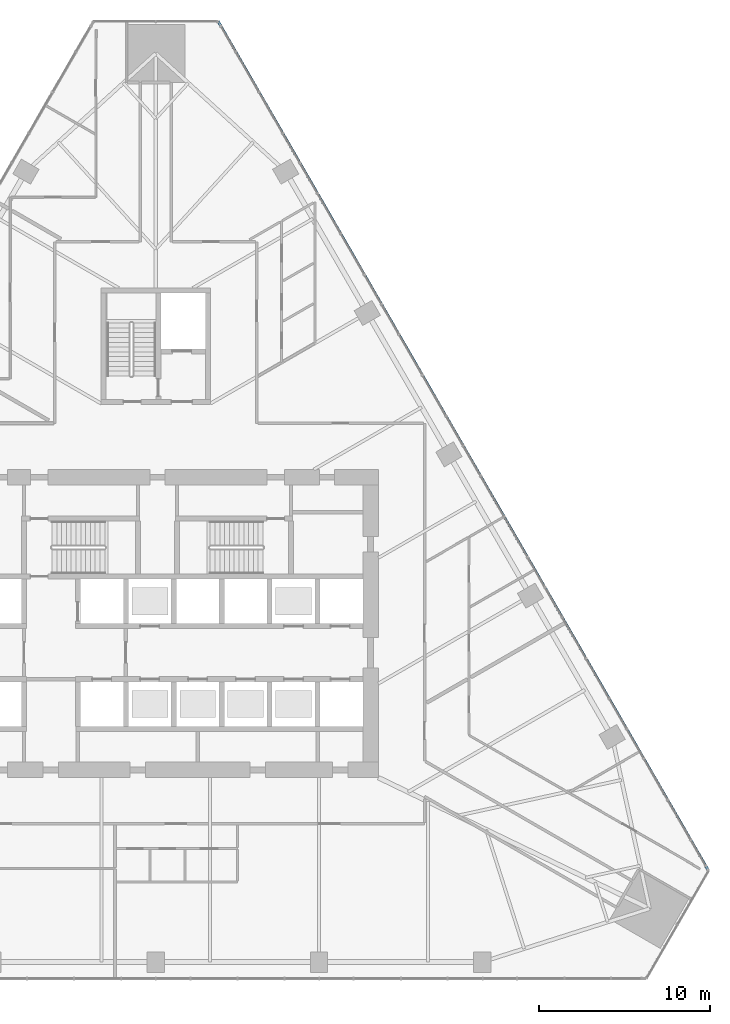
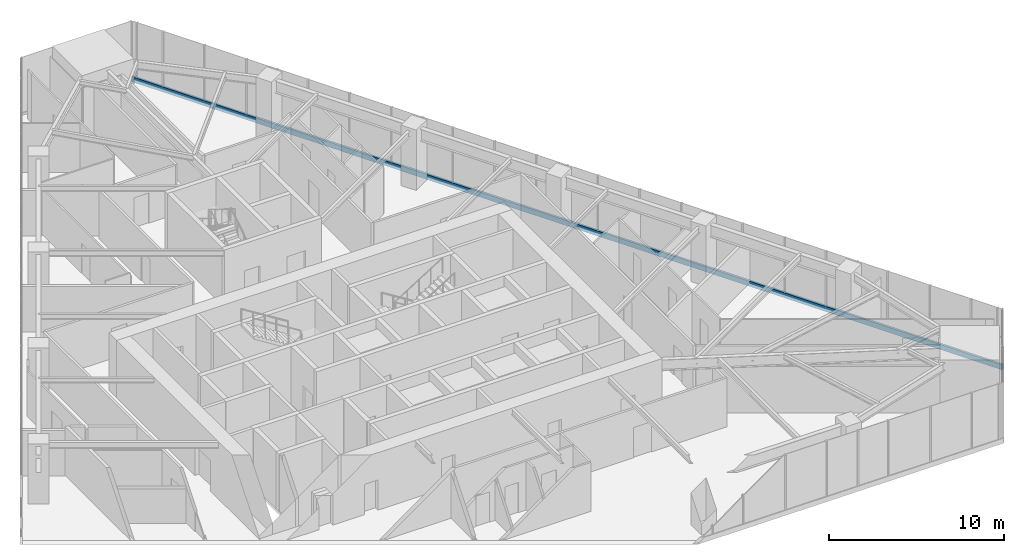
# One storey, part 9 of 25: 1 member, 1 element without a shape of its own.
"""IFC4 building model written with IfcOpenShell, lengths in metres."""

from ifc_helpers import new_model, si_unit, direction, frame, origin, origin_2d, place, context, subcontext, project, spatial, rectangle, extrude, material, layer, layer_set, material_profile, profile_set, type_object, element, aggregate, save


model = new_model("IFC4")

# Units and contexts
model_context = context("Model", 3, precision=1e-05, world=origin(), true_north=direction((0.0, 1.0)))
body_context = subcontext(model_context, "Body", "Model", "MODEL_VIEW")
ifc_project = project(units=[si_unit("LENGTHUNIT", "METRE"), si_unit("AREAUNIT", "SQUARE_METRE"), si_unit("VOLUMEUNIT", "CUBIC_METRE"), si_unit("PLANEANGLEUNIT", "RADIAN"), si_unit("MASSUNIT", "GRAM", prefix="KILO")], contexts=[model_context])

# Site, building, storey
site_placement = place(None, origin())
site = spatial("IfcSite", under=ifc_project, at=site_placement, CompositionType="ELEMENT")
building_placement = place(site_placement, origin())
building = spatial("IfcBuilding", under=site, at=building_placement, Name="Firuza Gate Tower and Library", CompositionType="ELEMENT")
storey_placement = place(building_placement, frame((0.0, 0.0, 61.0)))
storey = spatial("IfcBuildingStorey", under=building, at=storey_placement, Name="L13", CompositionType="ELEMENT", Elevation=61.0)

# Curtain wall, member
ifc_material_1 = material(Name="Aluminium 6063-T6", Category="aluminium")
ifc_layer = layer(ifc_material_1, 0.14990234375)
ifc_layer_set = layer_set([ifc_layer], Name="Unitised curtain wall, offices")
curtain_wall_type = type_object("IfcCurtainWallType", Name="Unitised curtain wall, offices", PredefinedType="NOTDEFINED", material=ifc_layer_set)
curtain_wall_placement = place(storey_placement, origin())
curtain_wall = element("IfcCurtainWall", 1, at=curtain_wall_placement, inside=storey, type_object=curtain_wall_type, Name="CW1 L13 E face", PredefinedType="NOTDEFINED")
ifc_material_2 = material(Name="Aluminium 6063-T6", Category="aluminium")
ifc_material_profile = material_profile(ifc_material_2, rectangle(XDim=0.14990234375, YDim=0.35009765625, at=origin_2d()))
ifc_profile_set = profile_set([ifc_material_profile], Name="Aluminium 6063-T6")
member_type = type_object("IfcMemberType", Name="Curtain wall transom 350x150", PredefinedType="USERDEFINED", material=ifc_profile_set)
member_placement = place(storey_placement, frame((107.2900390625, 60.564208984375, -0.02490234375), z_axis=(-0.499999346088, 0.866025781321, 0.0), x_axis=(-0.866025781321, -0.499999346088, 0.0)))
member = element("IfcMember", 2, at=member_placement, type_object=member_type, Name="Transom", ObjectType="TRANSOM", PredefinedType="USERDEFINED", context=body_context, shape_type="SweptSolid", body=[
    extrude(rectangle(XDim=0.14990234375, YDim=0.35009765625, at=origin_2d()), origin(), (0.0, 0.0, 1.0), 57.29345703125),
])
aggregate(curtain_wall, [member])

save(model, "model.ifc")
